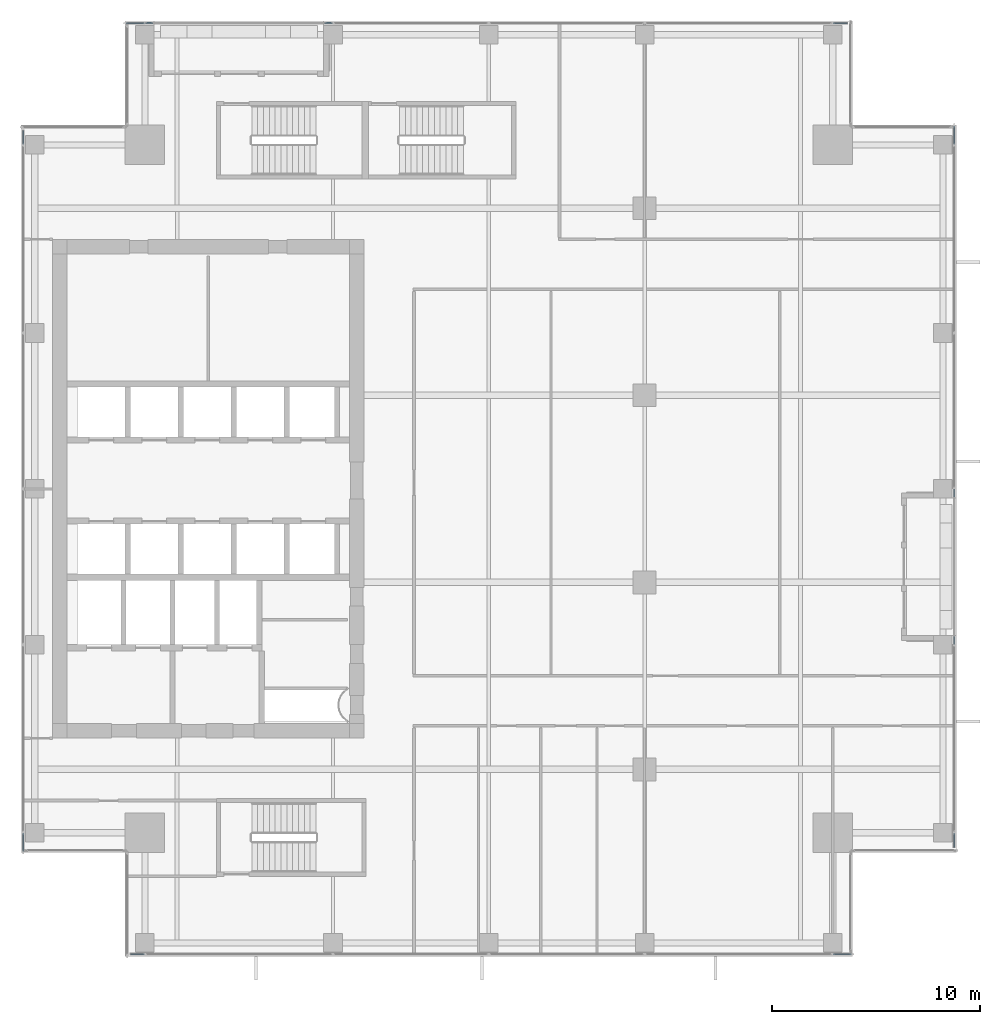
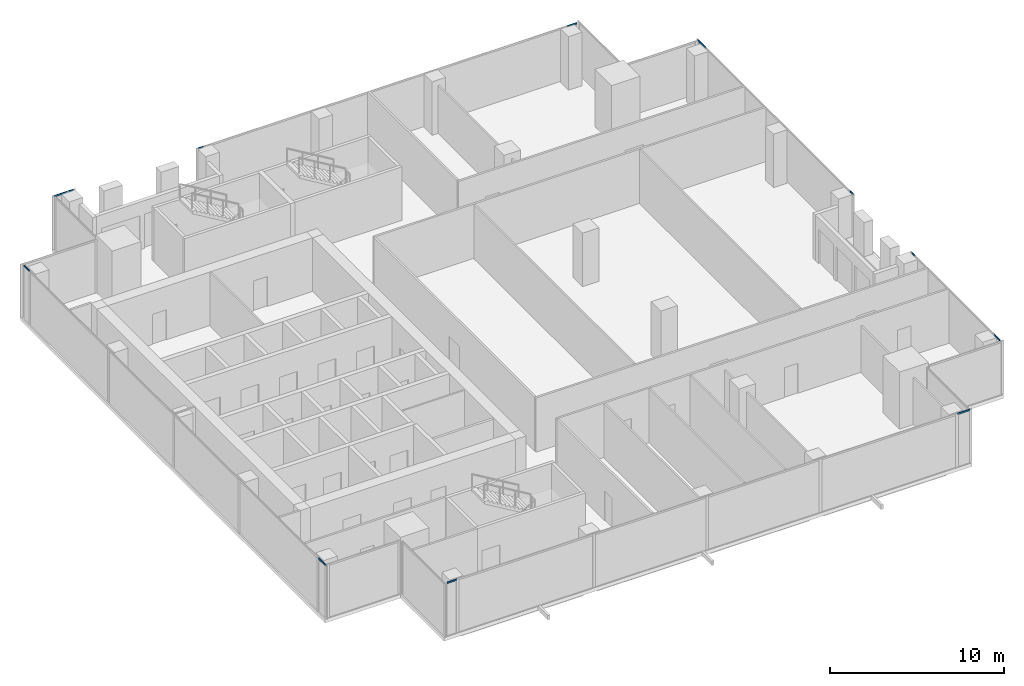
# One storey, part 25 of 36: 12 members, 6 elements without a shape of their own.
"""IFC4 building model written with IfcOpenShell, lengths in metres."""

from ifc_helpers import new_model, si_unit, direction, frame, origin, origin_2d, place, context, subcontext, project, spatial, hollow_rectangle, extrude, source, transform, mapped, material, material_profile, profile_set, type_object, element, aggregate, save


model = new_model("IFC4")

# Units and contexts
model_context = context("Model", 3, precision=1e-05, world=origin(), true_north=direction((0.0, 1.0)))
body_context = subcontext(model_context, "Body", "Model", "MODEL_VIEW")
ifc_project = project(units=[si_unit("LENGTHUNIT", "METRE"), si_unit("AREAUNIT", "SQUARE_METRE"), si_unit("VOLUMEUNIT", "CUBIC_METRE"), si_unit("PLANEANGLEUNIT", "RADIAN"), si_unit("MASSUNIT", "GRAM", prefix="KILO")], contexts=[model_context])

# Site, building, storey
site_placement = place(None, origin())
site = spatial("IfcSite", under=ifc_project, at=site_placement, CompositionType="ELEMENT")
building_placement = place(site_placement, origin())
building = spatial("IfcBuilding", under=site, at=building_placement, Name="Khomas Fold Tower", CompositionType="ELEMENT")
storey_placement = place(building_placement, frame((0.0, 0.0, 226.199951171875)))
storey = spatial("IfcBuildingStorey", under=building, at=storey_placement, Name="L50", CompositionType="ELEMENT", Elevation=226.199951171875)

# Curtain wall, member
ifc_material_1 = material(Name="Aluminium framed double glazing", Category="aluminium")
curtain_wall_type = type_object("IfcCurtainWallType", Name="SK-Unitised clear-glass wall, office floors CW2", PredefinedType="NOTDEFINED", material=ifc_material_1)
curtain_wall_1_placement = place(storey_placement, origin())
curtain_wall_1 = element("IfcCurtainWall", 1, at=curtain_wall_1_placement, inside=storey, type_object=curtain_wall_type, Name="CW2 run L50 00-0", PredefinedType="NOTDEFINED")
ifc_material_2 = material(Name="Aluminium", Category="aluminium")
ifc_material_profile = material_profile(ifc_material_2, hollow_rectangle(XDim=0.050048828125, YDim=0.110107421875, WallThickness=0.00390625, at=origin_2d()), Name="SK-Unitised clear-glass wall, office floors transom CW2-T")
ifc_profile_set = profile_set([ifc_material_profile], Name="Aluminium")
member_type = type_object("IfcMemberType", Name="SK-Unitised clear-glass wall, office floors transom CW2-T", PredefinedType="USERDEFINED", material=ifc_profile_set)
shared_shape_1 = source(origin(), body_context, "Body", "SweptSolid", [
    extrude(hollow_rectangle(XDim=0.050048828125, YDim=0.110107421875, WallThickness=0.00390625, at=origin_2d()), origin(), (0.0, 0.0, 1.0), 0.659912109375),
])
member_1_placement = place(storey_placement, frame((9.760009765625, 4.60009765625, 3.695068359375), z_axis=(1.0, 0.0, 0.0), x_axis=(0.0, 1.0, 0.0)))
member_1 = element("IfcMember", 2, at=member_1_placement, type_object=member_type, Name="CW2 transom 1", ObjectType="TRANSOM", PredefinedType="USERDEFINED", context=body_context, shape_type="MappedRepresentation", body=[
    mapped(shared_shape_1, transform((0.0, 0.0, 0.0))),
])

curtain_wall_2_placement = place(storey_placement, origin())
curtain_wall_2 = element("IfcCurtainWall", 3, at=curtain_wall_2_placement, inside=storey, type_object=curtain_wall_type, Name="CW2 run L50 03-0", PredefinedType="NOTDEFINED")
member_2_placement = place(storey_placement, frame((49.39990234375, 9.760009765625, 3.695068359375), z_axis=(0.0, 1.0, 0.0), x_axis=(-1.0, 0.0, 0.0)))
member_2 = element("IfcMember", 4, at=member_2_placement, type_object=member_type, Name="CW2 transom 1", ObjectType="TRANSOM", PredefinedType="USERDEFINED", context=body_context, shape_type="MappedRepresentation", body=[
    mapped(shared_shape_1, transform((0.0, 0.0, 0.0))),
])

curtain_wall_3_placement = place(storey_placement, origin())
curtain_wall_3 = element("IfcCurtainWall", 5, at=curtain_wall_3_placement, inside=storey, type_object=curtain_wall_type, Name="CW2 run L50 06-0", PredefinedType="NOTDEFINED")
member_3_placement = place(storey_placement, frame((44.239990234375, 49.39990234375, 3.695068359375), z_axis=(-1.0, 0.0, 0.0), x_axis=(0.0, -1.0, 0.0)))
member_3 = element("IfcMember", 6, at=member_3_placement, type_object=member_type, Name="CW2 transom 1", ObjectType="TRANSOM", PredefinedType="USERDEFINED", context=body_context, shape_type="MappedRepresentation", body=[
    mapped(shared_shape_1, transform((0.0, 0.0, 0.0))),
])

curtain_wall_4_placement = place(storey_placement, origin())
curtain_wall_4 = element("IfcCurtainWall", 7, at=curtain_wall_4_placement, inside=storey, type_object=curtain_wall_type, Name="CW2 run L50 09-0", PredefinedType="NOTDEFINED")
member_4_placement = place(storey_placement, frame((4.60009765625, 44.239990234375, 3.695068359375), z_axis=(0.0, -1.0, 0.0), x_axis=(1.0, 0.0, 0.0)))
member_4 = element("IfcMember", 8, at=member_4_placement, type_object=member_type, Name="CW2 transom 1", ObjectType="TRANSOM", PredefinedType="USERDEFINED", context=body_context, shape_type="MappedRepresentation", body=[
    mapped(shared_shape_1, transform((0.0, 0.0, 0.0))),
])

# Member
shared_shape_2 = source(origin(), body_context, "Body", "SweptSolid", [
    extrude(hollow_rectangle(XDim=0.050048828125, YDim=0.110107421875, WallThickness=0.00390625, at=origin_2d()), origin(), (0.0, 0.0, 1.0), 0.85986328125),
])
member_5_placement = place(storey_placement, frame((43.580078125, 4.60009765625, 3.695068359375), z_axis=(1.0, 0.0, 0.0), x_axis=(0.0, 1.0, 0.0)))
member_5 = element("IfcMember", 9, at=member_5_placement, type_object=member_type, Name="CW2 transom 6", ObjectType="TRANSOM", PredefinedType="USERDEFINED", context=body_context, shape_type="MappedRepresentation", body=[
    mapped(shared_shape_2, transform((0.0, 0.0, 0.0))),
])

aggregate(curtain_wall_1, [member_1, member_5])

# Curtain wall, member
curtain_wall_5_placement = place(storey_placement, origin())
curtain_wall_5 = element("IfcCurtainWall", 10, at=curtain_wall_5_placement, inside=storey, type_object=curtain_wall_type, Name="CW2 run L50 03-1", PredefinedType="NOTDEFINED")
member_6_placement = place(storey_placement, frame((49.39990234375, 43.580078125, 3.695068359375), z_axis=(0.0, 1.0, 0.0), x_axis=(-1.0, 0.0, 0.0)))
member_6 = element("IfcMember", 11, at=member_6_placement, type_object=member_type, Name="CW2 transom 4", ObjectType="TRANSOM", PredefinedType="USERDEFINED", context=body_context, shape_type="MappedRepresentation", body=[
    mapped(shared_shape_2, transform((0.0, 0.0, 0.0))),
])

curtain_wall_6_placement = place(storey_placement, origin())
curtain_wall_6 = element("IfcCurtainWall", 12, at=curtain_wall_6_placement, inside=storey, type_object=curtain_wall_type, Name="CW2 run L50 06-1", PredefinedType="NOTDEFINED")
member_7_placement = place(storey_placement, frame((10.419921875, 49.39990234375, 3.695068359375), z_axis=(-1.0, 0.0, 0.0), x_axis=(0.0, -1.0, 0.0)))
member_7 = element("IfcMember", 13, at=member_7_placement, type_object=member_type, Name="CW2 transom 2", ObjectType="TRANSOM", PredefinedType="USERDEFINED", context=body_context, shape_type="MappedRepresentation", body=[
    mapped(shared_shape_2, transform((0.0, 0.0, 0.0))),
])

# Member
member_8_placement = place(storey_placement, frame((4.60009765625, 10.419921875, 3.695068359375), z_axis=(0.0, -1.0, 0.0), x_axis=(1.0, 0.0, 0.0)))
member_8 = element("IfcMember", 14, at=member_8_placement, type_object=member_type, Name="CW2 transom 6", ObjectType="TRANSOM", PredefinedType="USERDEFINED", context=body_context, shape_type="MappedRepresentation", body=[
    mapped(shared_shape_2, transform((0.0, 0.0, 0.0))),
])

aggregate(curtain_wall_4, [member_4, member_8])

shared_shape_3 = source(origin(), body_context, "Body", "SweptSolid", [
    extrude(hollow_rectangle(XDim=0.050048828125, YDim=0.110107421875, WallThickness=0.00390625, at=origin_2d()), origin(), (0.0, 0.0, 1.0), 0.35986328125),
])
member_9_placement = place(storey_placement, frame((49.39990234375, 19.530029296875, 3.695068359375), z_axis=(0.0, 1.0, 0.0), x_axis=(-1.0, 0.0, 0.0)))
member_9 = element("IfcMember", 15, at=member_9_placement, type_object=member_type, Name="CW2 transom 3", ObjectType="TRANSOM", PredefinedType="USERDEFINED", context=body_context, shape_type="MappedRepresentation", body=[
    mapped(shared_shape_3, transform((0.0, 0.0, 0.0))),
])

aggregate(curtain_wall_2, [member_2, member_9])

member_10_placement = place(storey_placement, frame((49.39990234375, 26.610107421875, 3.695068359375), z_axis=(0.0, 1.0, 0.0), x_axis=(-1.0, 0.0, 0.0)))
member_10 = element("IfcMember", 16, at=member_10_placement, type_object=member_type, Name="CW2 transom 1", ObjectType="TRANSOM", PredefinedType="USERDEFINED", context=body_context, shape_type="MappedRepresentation", body=[
    mapped(shared_shape_3, transform((0.0, 0.0, 0.0))),
])

aggregate(curtain_wall_5, [member_10, member_6])

member_11_placement = place(storey_placement, frame((19.469970703125, 49.39990234375, 3.695068359375), z_axis=(-1.0, 0.0, 0.0), x_axis=(0.0, -1.0, 0.0)))
member_11 = element("IfcMember", 17, at=member_11_placement, type_object=member_type, Name="CW2 transom 5", ObjectType="TRANSOM", PredefinedType="USERDEFINED", context=body_context, shape_type="MappedRepresentation", body=[
    mapped(shared_shape_3, transform((0.0, 0.0, 0.0))),
])

aggregate(curtain_wall_3, [member_3, member_11])

shared_shape_4 = source(origin(), body_context, "Body", "SweptSolid", [
    extrude(hollow_rectangle(XDim=0.050048828125, YDim=0.110107421875, WallThickness=0.00390625, at=origin_2d()), origin(), (0.0, 0.0, 1.0), 0.360107421875),
])
member_12_placement = place(storey_placement, frame((10.840087890625, 49.39990234375, 3.695068359375), z_axis=(-1.0, 0.0, 0.0), x_axis=(0.0, -1.0, 0.0)))
member_12 = element("IfcMember", 18, at=member_12_placement, type_object=member_type, Name="CW2 transom 1", ObjectType="TRANSOM", PredefinedType="USERDEFINED", context=body_context, shape_type="MappedRepresentation", body=[
    mapped(shared_shape_4, transform((0.0, 0.0, 0.0))),
])

aggregate(curtain_wall_6, [member_12, member_7])

save(model, "model.ifc")
